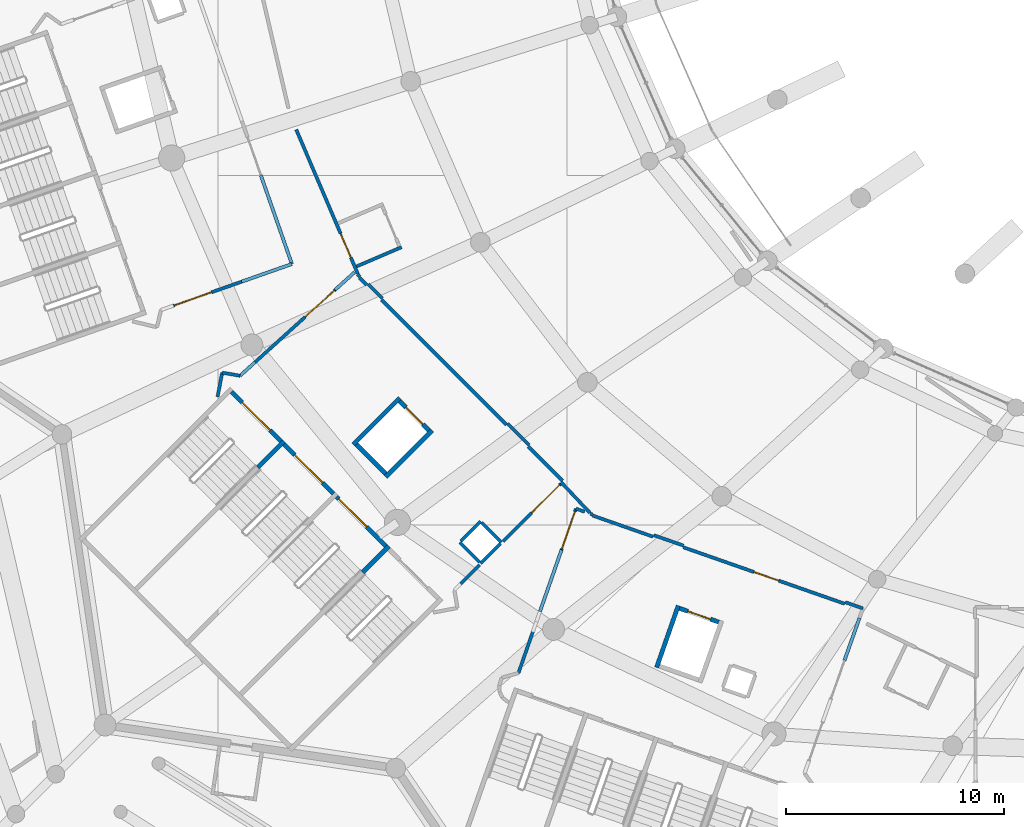
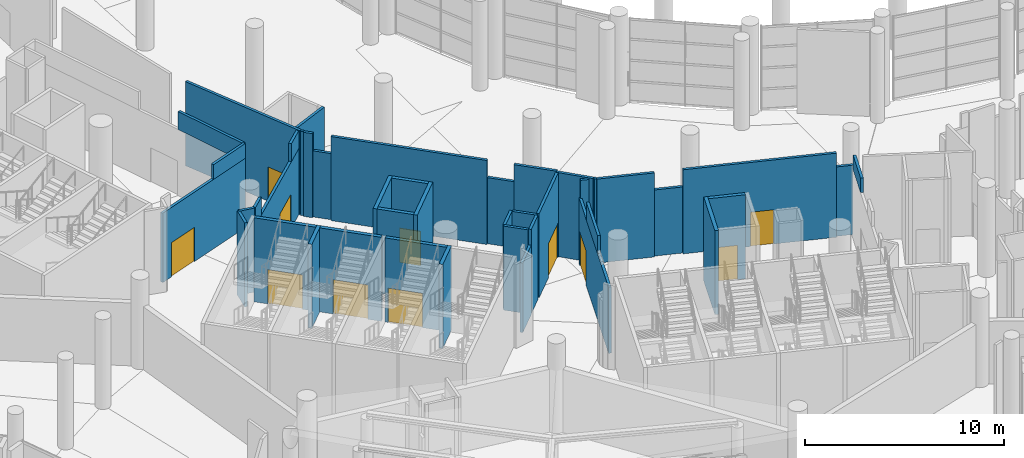
# One storey, part 160 of 271: 43 walls, 11 doors, 11 openings.
"""IFC4 building model written with IfcOpenShell, lengths in metres."""

from ifc_helpers import new_model, si_unit, direction, frame, frame_2d, origin, place, context, subcontext, project, spatial, rectangle, extrude, material, layer, layer_set, type_object, element, fill, save


model = new_model("IFC4")

# Units and contexts
model_context = context("Model", 3, precision=1e-05, world=origin(), true_north=direction((0.0, 1.0)))
body_context = subcontext(model_context, "Body", "Model", "MODEL_VIEW")
ifc_project = project(units=[si_unit("LENGTHUNIT", "METRE"), si_unit("AREAUNIT", "SQUARE_METRE"), si_unit("VOLUMEUNIT", "CUBIC_METRE"), si_unit("PLANEANGLEUNIT", "RADIAN"), si_unit("MASSUNIT", "GRAM", prefix="KILO")], contexts=[model_context])

# Site, building, storey
site_placement = place(None, origin())
site = spatial("IfcSite", under=ifc_project, at=site_placement, CompositionType="ELEMENT")
building_placement = place(site_placement, origin())
building = spatial("IfcBuilding", under=site, at=building_placement, Name="Meseta Stadium", CompositionType="ELEMENT")
storey_placement = place(building_placement, frame((0.0, 0.0, 6.5)))
storey = spatial("IfcBuildingStorey", under=building, at=storey_placement, Name="L01", CompositionType="ELEMENT", Elevation=6.5)

# Walls
ifc_material_1 = material(Name="Concrete C40/50", Category="concrete")
ifc_layer_1 = layer(ifc_material_1, 0.199951171875)
ifc_layer_set_1 = layer_set([ifc_layer_1], Name="Core divider wall 200")
wall_type_1 = type_object("IfcWallType", Name="Core divider wall 200", PredefinedType="SHEAR", material=ifc_layer_set_1)
for number, where, z_axis, x_axis, name in (
    (1, (-78.17333984375, -77.364990234375, 0.0), (0.0, 0.0, 1.0), (0.707178586901, 0.707034968179, 0.0), "Core 21 L01 stair A divider wall"),
    (2, (-73.364990234375, -82.17333984375, 0.0), (0.0, 0.0, 1.0), (0.707034968179, 0.707178586901, 0.0), "Core 21 L01 stair B divider wall"),
):
    element("IfcWall", number, at=place(storey_placement, frame(where, z_axis=z_axis, x_axis=x_axis)), inside=storey, type_object=wall_type_1, Name=name, PredefinedType="SHEAR", context=body_context, shape_type="SweptSolid", body=[
        extrude(rectangle(XDim=1.699951171875, YDim=0.199951171875, at=frame_2d((0.85009765625, 0.0))), origin(), (0.0, 0.0, 1.0), 5.14990234375),
    ])

# Wall, opening, door
ifc_material_2 = material(Name="Concrete C40/50", Category="concrete")
ifc_layer_2 = layer(ifc_material_2, 0.199951171875)
ifc_layer_set_2 = layer_set([ifc_layer_2], Name="Core shaft wall 200")
wall_type_2 = type_object("IfcWallType", Name="Core shaft wall 200", PredefinedType="SHEAR", material=ifc_layer_set_2)
wall_1_placement = place(storey_placement, frame((-79.37548828125, -73.900146484375, 0.0), z_axis=(0.0, 0.0, 1.0), x_axis=(0.707068634461, -0.707144925854, 0.0)))
wall_1 = element("IfcWall", 3, at=wall_1_placement, inside=storey, type_object=wall_type_2, Name="Core 21 L01 stair A1 inner end wall", PredefinedType="SHEAR", context=body_context, shape_type="SweptSolid", body=[
    extrude(rectangle(XDim=3.2001953125, YDim=0.199951171875, at=frame_2d((1.60009765625, 0.0))), origin(), (0.0, 0.0, 1.0), 5.14990234375),
])
opening_1_placement = place(wall_1_placement, frame((0.699951171875, 0.0, 0.0)))
opening_1 = element("IfcOpeningElement", 4, at=opening_1_placement, cuts=wall_1, Name="Opening D289", PredefinedType="OPENING", context=body_context, shape_type="SweptSolid", body=[
    extrude(rectangle(XDim=1.800048828125, YDim=2.10009765625, at=frame_2d((0.89990234375, 1.050048828125))), frame((0.0, 0.10986328125, 0.0), z_axis=(0.0, -1.0, 0.0), x_axis=(1.0, 0.0, 0.0)), (0.0, 0.0, 1.0), 0.219970703125),
])
ifc_material_3 = material(Name="Steel", Category="steel")
door_type_1 = type_object("IfcDoorType", Name="Stair door 1800x2100", OperationType="DOUBLE_DOOR_SINGLE_SWING", PredefinedType="DOOR", material=ifc_material_3)
door_1_placement = place(opening_1_placement, origin())
door_1 = element("IfcDoor", 5, at=door_1_placement, inside=storey, type_object=door_type_1, Name="Stair A1 door 21 L01", OperationType="DOUBLE_DOOR_SINGLE_SWING", OverallHeight=2.10009765625, OverallWidth=1.800048828125, PredefinedType="DOOR", context=body_context, shape_type="SweptSolid", body=[
    extrude(rectangle(XDim=1.800048828125, YDim=2.10009765625, at=frame_2d((0.89990234375, 1.050048828125))), frame((0.0, 0.02490234375, 0.0), z_axis=(0.0, -1.0, 0.0), x_axis=(1.0, 0.0, 0.0)), (0.0, 0.0, 1.0), 0.050048828125),
])
fill(opening_1, door_1)

wall_2_placement = place(storey_placement, frame((-76.97119140625, -76.304443359375, 0.0), z_axis=(0.0, 0.0, 1.0), x_axis=(0.707106781187, -0.707106781187, 0.0)))
wall_2 = element("IfcWall", 6, at=wall_2_placement, inside=storey, type_object=wall_type_2, Name="Core 21 L01 stair A2 inner end wall", PredefinedType="SHEAR", context=body_context, shape_type="SweptSolid", body=[
    extrude(rectangle(XDim=3.199951171875, YDim=0.199951171875, at=frame_2d((1.60009765625, 0.0))), origin(), (0.0, 0.0, 1.0), 5.14990234375),
])
opening_2_placement = place(wall_2_placement, frame((0.699951171875, 0.0, 0.0)))
opening_2 = element("IfcOpeningElement", 7, at=opening_2_placement, cuts=wall_2, Name="Opening D290", PredefinedType="OPENING", context=body_context, shape_type="SweptSolid", body=[
    extrude(rectangle(XDim=1.800048828125, YDim=2.10009765625, at=frame_2d((0.89990234375, 1.050048828125))), frame((0.0, 0.10986328125, 0.0), z_axis=(0.0, -1.0, 0.0), x_axis=(1.0, 0.0, 0.0)), (0.0, 0.0, 1.0), 0.219970703125),
])
door_2_placement = place(opening_2_placement, origin())
door_2 = element("IfcDoor", 8, at=door_2_placement, inside=storey, type_object=door_type_1, Name="Stair A2 door 21 L01", OperationType="DOUBLE_DOOR_SINGLE_SWING", OverallHeight=2.10009765625, OverallWidth=1.800048828125, PredefinedType="DOOR", context=body_context, shape_type="SweptSolid", body=[
    extrude(rectangle(XDim=1.800048828125, YDim=2.10009765625, at=frame_2d((0.89990234375, 1.050048828125))), frame((0.0, 0.02490234375, 0.0), z_axis=(0.0, -1.0, 0.0), x_axis=(1.0, 0.0, 0.0)), (0.0, 0.0, 1.0), 0.050048828125),
])
fill(opening_2, door_2)

wall_3_placement = place(storey_placement, frame((-74.567138671875, -78.70849609375, 0.0), z_axis=(0.0, 0.0, 1.0), x_axis=(0.707106781187, -0.707106781187, 0.0)))
wall_3 = element("IfcWall", 9, at=wall_3_placement, inside=storey, type_object=wall_type_2, Name="Core 21 L01 stair B1 inner end wall", PredefinedType="SHEAR", context=body_context, shape_type="SweptSolid", body=[
    extrude(rectangle(XDim=3.199951171875, YDim=0.199951171875, at=frame_2d((1.60009765625, 0.0))), origin(), (0.0, 0.0, 1.0), 5.14990234375),
])
opening_3_placement = place(wall_3_placement, frame((0.14990234375, 0.0, 0.0)))
opening_3 = element("IfcOpeningElement", 10, at=opening_3_placement, cuts=wall_3, Name="Opening D291", PredefinedType="OPENING", context=body_context, shape_type="SweptSolid", body=[
    extrude(rectangle(XDim=1.800048828125, YDim=2.10009765625, at=frame_2d((0.89990234375, 1.050048828125))), frame((0.0, 0.10986328125, 0.0), z_axis=(0.0, -1.0, 0.0), x_axis=(1.0, 0.0, 0.0)), (0.0, 0.0, 1.0), 0.219970703125),
])
door_3_placement = place(opening_3_placement, origin())
door_3 = element("IfcDoor", 11, at=door_3_placement, inside=storey, type_object=door_type_1, Name="Stair B1 door 21 L01", OperationType="DOUBLE_DOOR_SINGLE_SWING", OverallHeight=2.10009765625, OverallWidth=1.800048828125, PredefinedType="DOOR", context=body_context, shape_type="SweptSolid", body=[
    extrude(rectangle(XDim=1.800048828125, YDim=2.10009765625, at=frame_2d((0.89990234375, 1.050048828125))), frame((0.0, 0.02490234375, 0.0), z_axis=(0.0, -1.0, 0.0), x_axis=(1.0, 0.0, 0.0)), (0.0, 0.0, 1.0), 0.050048828125),
])
fill(opening_3, door_3)

# Walls
for number, where, z_axis, x_axis, name in (
    (12, (-73.796875, -76.311767578125, 0.0), (0.0, 0.0, 1.0), (0.707106781187, 0.707106781187, 0.0), "Core 21 L01 lift shaft wall left"),
    (13, (-72.311767578125, -77.796875, 0.0), (0.0, 0.0, 1.0), (0.707106781187, 0.707106781187, 0.0), "Core 21 L01 lift shaft wall right"),
):
    element("IfcWall", number, at=place(storey_placement, frame(where, z_axis=z_axis, x_axis=x_axis)), inside=storey, type_object=wall_type_2, Name=name, PredefinedType="SHEAR", context=body_context, shape_type="SweptSolid", body=[
        extrude(rectangle(XDim=3.0, YDim=0.199951171875, at=frame_2d((1.5, 0.0))), origin(), (0.0, 0.0, 1.0), 5.14990234375),
    ])
wall_4_placement = place(storey_placement, frame((-73.655517578125, -76.311767578125, 0.0), z_axis=(0.0, 0.0, 1.0), x_axis=(0.707106781187, -0.707106781187, 0.0)))
element("IfcWall", 14, at=wall_4_placement, inside=storey, type_object=wall_type_2, Name="Core 21 L01 lift shaft back wall", PredefinedType="SHEAR", context=body_context, shape_type="SweptSolid", body=[
    extrude(rectangle(XDim=1.900390625, YDim=0.199951171875, at=frame_2d((0.9501953125, 0.0))), origin(), (0.0, 0.0, 1.0), 5.14990234375),
])

# Wall, opening, door
wall_5_placement = place(storey_placement, frame((-71.675537109375, -74.331787109375, 0.0), z_axis=(0.0, 0.0, 1.0), x_axis=(0.707106781187, -0.707106781187, 0.0)))
wall_5 = element("IfcWall", 15, at=wall_5_placement, inside=storey, type_object=wall_type_2, Name="Core 21 L01 lift shaft front wall", PredefinedType="SHEAR", context=body_context, shape_type="SweptSolid", body=[
    extrude(rectangle(XDim=1.900390625, YDim=0.199951171875, at=frame_2d((0.9501953125, 0.0))), origin(), (0.0, 0.0, 1.0), 5.14990234375),
])
opening_4_placement = place(wall_5_placement, frame((0.39990234375, 0.0, 0.0)))
opening_4 = element("IfcOpeningElement", 16, at=opening_4_placement, cuts=wall_5, Name="Opening LD117", PredefinedType="OPENING", context=body_context, shape_type="SweptSolid", body=[
    extrude(rectangle(XDim=1.10009765625, YDim=2.10009765625, at=frame_2d((0.550048828125, 1.050048828125))), frame((0.0, 0.10986328125, 0.0), z_axis=(0.0, -1.0, 0.0), x_axis=(1.0, 0.0, 0.0)), (0.0, 0.0, 1.0), 0.219970703125),
])
ifc_material_4 = material(Name="Steel", Category="steel")
door_type_2 = type_object("IfcDoorType", Name="Lift landing door 1100x2100", OperationType="SLIDING_TO_LEFT", PredefinedType="DOOR", material=ifc_material_4)
door_4_placement = place(opening_4_placement, origin())
door_4 = element("IfcDoor", 17, at=door_4_placement, inside=storey, type_object=door_type_2, Name="Lift landing door LD117", OperationType="SLIDING_TO_LEFT", OverallHeight=2.10009765625, OverallWidth=1.10009765625, PredefinedType="DOOR", context=body_context, shape_type="SweptSolid", body=[
    extrude(rectangle(XDim=1.10009765625, YDim=2.10009765625, at=frame_2d((0.550048828125, 1.050048828125))), frame((0.0, 0.02490234375, 0.0), z_axis=(0.0, -1.0, 0.0), x_axis=(1.0, 0.0, 0.0)), (0.0, 0.0, 1.0), 0.050048828125),
])
fill(opening_4, door_4)

# Wall
wall_6_placement = place(storey_placement, frame((-59.896240234375, -86.53369140625, 0.0), z_axis=(0.0, 0.0, 1.0), x_axis=(0.330328674497, 0.943865968666, 0.0)))
element("IfcWall", 18, at=wall_6_placement, inside=storey, type_object=wall_type_2, Name="Core 22 L01 lift shaft wall left", PredefinedType="SHEAR", context=body_context, shape_type="SweptSolid", body=[
    extrude(rectangle(XDim=3.0, YDim=0.199951171875, at=frame_2d((1.5, 0.0))), origin(), (0.0, 0.0, 1.0), 5.14990234375),
])

# Wall, opening, door
wall_7_placement = place(storey_placement, frame((-58.843994140625, -83.82958984375, 0.0), z_axis=(0.0, 0.0, 1.0), x_axis=(0.943902418729, -0.330224505327, 0.0)))
wall_7 = element("IfcWall", 19, at=wall_7_placement, inside=storey, type_object=wall_type_2, Name="Core 22 L01 lift shaft front wall", PredefinedType="SHEAR", context=body_context, shape_type="SweptSolid", body=[
    extrude(rectangle(XDim=1.900146484375, YDim=0.199951171875, at=frame_2d((0.9501953125, 0.0))), origin(), (0.0, 0.0, 1.0), 5.14990234375),
])
opening_5_placement = place(wall_7_placement, frame((0.39990234375, 0.0, 0.0)))
opening_5 = element("IfcOpeningElement", 20, at=opening_5_placement, cuts=wall_7, Name="Opening LD122", PredefinedType="OPENING", context=body_context, shape_type="SweptSolid", body=[
    extrude(rectangle(XDim=1.10009765625, YDim=2.10009765625, at=frame_2d((0.550048828125, 1.050048828125))), frame((0.0, 0.10986328125, 0.0), z_axis=(0.0, -1.0, 0.0), x_axis=(1.0, 0.0, 0.0)), (0.0, 0.0, 1.0), 0.219970703125),
])
door_5_placement = place(opening_5_placement, origin())
door_5 = element("IfcDoor", 21, at=door_5_placement, inside=storey, type_object=door_type_2, Name="Lift landing door LD122", OperationType="SLIDING_TO_RIGHT", OverallHeight=2.10009765625, OverallWidth=1.10009765625, PredefinedType="DOOR", context=body_context, shape_type="SweptSolid", body=[
    extrude(rectangle(XDim=1.10009765625, YDim=2.10009765625, at=frame_2d((0.550048828125, 1.050048828125))), frame((0.0, 0.02490234375, 0.0), z_axis=(0.0, -1.0, 0.0), x_axis=(1.0, 0.0, 0.0)), (0.0, 0.0, 1.0), 0.050048828125),
])
fill(opening_5, door_5)

# Walls
ifc_material_5 = material(Name="Masonry blockwork", Category="masonry")
ifc_layer_3 = layer(ifc_material_5, 0.14990234375)
ifc_layer_set_3 = layer_set([ifc_layer_3], Name="Partition 150")
wall_type_3 = type_object("IfcWallType", Name="Partition 150", PredefinedType="PARTITIONING", material=ifc_layer_set_3)
wall_8_placement = place(storey_placement, frame((-66.77880859375, -75.410400390625, 0.0), z_axis=(0.0, 0.0, 1.0), x_axis=(-0.707091708943, 0.707121853109, 0.0)))
element("IfcWall", 22, at=wall_8_placement, inside=storey, type_object=wall_type_3, Name="Partition L01 L01-cell19-0-0", PredefinedType="PARTITIONING", context=body_context, shape_type="SweptSolid", body=[
    extrude(rectangle(XDim=8.09912109375, YDim=0.14990234375, at=frame_2d((4.049560546875, 0.0))), origin(), (0.0, 0.0, 1.0), 5.14990234375),
])
wall_9_placement = place(storey_placement, frame((-73.179443359375, -69.009521484375, 0.0), z_axis=(0.0, 0.0, 1.0), x_axis=(-0.707106781187, 0.707106781187, 0.0)))
element("IfcWall", 23, at=wall_9_placement, inside=storey, type_object=wall_type_3, Name="Partition L01 L01-cell19-0-0", PredefinedType="PARTITIONING", context=body_context, shape_type="SweptSolid", body=[
    extrude(rectangle(XDim=0.4765625, YDim=0.14990234375, at=frame_2d((0.23828125, 0.0))), origin(), (0.0, 0.0, 1.0), 5.14990234375),
])

# Wall, opening, door
wall_10_placement = place(storey_placement, frame((-73.595458984375, -68.487548828125, 0.0), z_axis=(0.0, 0.0, 1.0), x_axis=(-0.392716080943, 0.919659763047, 0.0)))
wall_10 = element("IfcWall", 24, at=wall_10_placement, inside=storey, type_object=wall_type_3, Name="Partition L01 L01-cell19-0-0", PredefinedType="PARTITIONING", context=body_context, shape_type="SweptSolid", body=[
    extrude(rectangle(XDim=7.17724609375, YDim=0.14990234375, at=frame_2d((3.588623046875, 0.0))), origin(), (0.0, 0.0, 1.0), 5.14990234375),
])
opening_6_placement = place(wall_10_placement, frame((0.800048828125, 0.0, 0.0)))
opening_6 = element("IfcOpeningElement", 25, at=opening_6_placement, cuts=wall_10, Name="Opening D667", PredefinedType="OPENING", context=body_context, shape_type="SweptSolid", body=[
    extrude(rectangle(XDim=1.199951171875, YDim=2.10009765625, at=frame_2d((0.60009765625, 1.050048828125))), frame((0.0, 0.0849609375, 0.0), z_axis=(0.0, -1.0, 0.0), x_axis=(1.0, 0.0, 0.0)), (0.0, 0.0, 1.0), 0.169921875),
])
ifc_material_6 = material(Name="Steel", Category="steel")
door_type_3 = type_object("IfcDoorType", Name="Fire door 1200x2100 EI2 60", OperationType="NOTDEFINED", PredefinedType="DOOR", material=ifc_material_6)
door_6_placement = place(opening_6_placement, origin())
door_6 = element("IfcDoor", 26, at=door_6_placement, inside=storey, type_object=door_type_3, Name="Door D667", OperationType="SINGLE_SWING_LEFT", OverallHeight=2.10009765625, OverallWidth=1.199951171875, PredefinedType="DOOR", context=body_context, shape_type="SweptSolid", body=[
    extrude(rectangle(XDim=1.199951171875, YDim=2.10009765625, at=frame_2d((0.60009765625, 1.050048828125))), frame((0.0, 0.02490234375, 0.0), z_axis=(0.0, -1.0, 0.0), x_axis=(1.0, 0.0, 0.0)), (0.0, 0.0, 1.0), 0.050048828125),
])
fill(opening_6, door_6)

wall_11_placement = place(storey_placement, frame((-51.2841796875, -83.614501953125, 0.0), z_axis=(0.0, 0.0, 1.0), x_axis=(-0.943878277554, 0.330293501543, 0.0)))
wall_11 = element("IfcWall", 27, at=wall_11_placement, inside=storey, type_object=wall_type_3, Name="Partition L01 L01-cell20-0-0", PredefinedType="PARTITIONING", context=body_context, shape_type="SweptSolid", body=[
    extrude(rectangle(XDim=7.8330078125, YDim=0.14990234375, at=frame_2d((3.91650390625, 0.0))), origin(), (0.0, 0.0, 1.0), 5.14990234375),
])
opening_7_placement = place(wall_11_placement, frame((3.199951171875, 0.0, 0.0)))
opening_7 = element("IfcOpeningElement", 28, at=opening_7_placement, cuts=wall_11, Name="Opening D668", PredefinedType="OPENING", context=body_context, shape_type="SweptSolid", body=[
    extrude(rectangle(XDim=1.199951171875, YDim=2.10009765625, at=frame_2d((0.60009765625, 1.050048828125))), frame((0.0, 0.0849609375, 0.0), z_axis=(0.0, -1.0, 0.0), x_axis=(1.0, 0.0, 0.0)), (0.0, 0.0, 1.0), 0.169921875),
])
door_7_placement = place(opening_7_placement, origin())
door_7 = element("IfcDoor", 29, at=door_7_placement, inside=storey, type_object=door_type_3, Name="Door D668", OperationType="SINGLE_SWING_LEFT", OverallHeight=2.10009765625, OverallWidth=1.199951171875, PredefinedType="DOOR", context=body_context, shape_type="SweptSolid", body=[
    extrude(rectangle(XDim=1.199951171875, YDim=2.10009765625, at=frame_2d((0.60009765625, 1.050048828125))), frame((0.0, 0.02490234375, 0.0), z_axis=(0.0, -1.0, 0.0), x_axis=(1.0, 0.0, 0.0)), (0.0, 0.0, 1.0), 0.050048828125),
])
fill(opening_7, door_7)

# Walls
wall_12_placement = place(storey_placement, frame((-60.06396484375, -80.542236328125, 0.0), z_axis=(0.0, 0.0, 1.0), x_axis=(-0.943873905003, 0.330305996696, 0.0)))
element("IfcWall", 30, at=wall_12_placement, inside=storey, type_object=wall_type_3, Name="Partition L01 L01-cell20-0-0", PredefinedType="PARTITIONING", context=body_context, shape_type="SweptSolid", body=[
    extrude(rectangle(XDim=2.937255859375, YDim=0.14990234375, at=frame_2d((1.46875, 0.0))), origin(), (0.0, 0.0, 1.0), 5.14990234375),
])
wall_13_placement = place(storey_placement, frame((-62.948486328125, -79.453369140625, 0.0), z_axis=(0.0, 0.0, 1.0), x_axis=(-0.686461196607, 0.727166435937, 0.0)))
element("IfcWall", 31, at=wall_13_placement, inside=storey, type_object=wall_type_3, Name="Partition L01 L01-cell20-0-0", PredefinedType="PARTITIONING", context=body_context, shape_type="SweptSolid", body=[
    extrude(rectangle(XDim=1.943359375, YDim=0.14990234375, at=frame_2d((0.9716796875, 0.0))), origin(), (0.0, 0.0, 1.0), 5.14990234375),
])
wall_14_placement = place(storey_placement, frame((-64.215576171875, -77.973388671875, 0.0), z_axis=(0.0, 0.0, 1.0), x_axis=(-0.707161957089, 0.707051600978, 0.0)))
element("IfcWall", 32, at=wall_14_placement, inside=storey, type_object=wall_type_3, Name="Partition L01 L01-cell20-0-0", PredefinedType="PARTITIONING", context=body_context, shape_type="SweptSolid", body=[
    extrude(rectangle(XDim=2.21240234375, YDim=0.14990234375, at=frame_2d((1.106201171875, 0.0))), origin(), (0.0, 0.0, 1.0), 5.14990234375),
])

# Wall, opening, door
wall_15_placement = place(storey_placement, frame((-82.605224609375, -70.154052734375, 0.0), z_axis=(0.0, 0.0, 1.0), x_axis=(0.943452018302, 0.331509108716, 0.0)))
wall_15 = element("IfcWall", 33, at=wall_15_placement, inside=storey, type_object=wall_type_3, Name="Stair vestibule wall L01 core 20", PredefinedType="PARTITIONING", context=body_context, shape_type="SweptSolid", body=[
    extrude(rectangle(XDim=6.3525390625, YDim=0.14990234375, at=frame_2d((3.17626953125, 0.0))), origin(), (0.0, 0.0, 1.0), 4.25),
])
opening_8_placement = place(wall_15_placement, frame((0.64990234375, 0.0, 0.0)))
opening_8 = element("IfcOpeningElement", 34, at=opening_8_placement, cuts=wall_15, Name="Opening D796", PredefinedType="OPENING", context=body_context, shape_type="SweptSolid", body=[
    extrude(rectangle(XDim=1.800048828125, YDim=2.10009765625, at=frame_2d((0.89990234375, 1.050048828125))), frame((0.0, 0.0849609375, 0.0), z_axis=(0.0, -1.0, 0.0), x_axis=(1.0, 0.0, 0.0)), (0.0, 0.0, 1.0), 0.169921875),
])
ifc_material_7 = material(Name="Steel", Category="steel")
door_type_4 = type_object("IfcDoorType", Name="Fire double door 1800x2100 EI2 60", OperationType="DOUBLE_DOOR_SINGLE_SWING", PredefinedType="DOOR", material=ifc_material_7)
door_8_placement = place(opening_8_placement, origin())
door_8 = element("IfcDoor", 35, at=door_8_placement, inside=storey, type_object=door_type_4, Name="Stair vestibule door L01 core 20", OperationType="DOUBLE_DOOR_SINGLE_SWING", OverallHeight=2.10009765625, OverallWidth=1.800048828125, PredefinedType="DOOR", context=body_context, shape_type="SweptSolid", body=[
    extrude(rectangle(XDim=1.800048828125, YDim=2.10009765625, at=frame_2d((0.89990234375, 1.050048828125))), frame((0.0, 0.02490234375, 0.0), z_axis=(0.0, -1.0, 0.0), x_axis=(1.0, 0.0, 0.0)), (0.0, 0.0, 1.0), 0.050048828125),
])
fill(opening_8, door_8)

# Walls
wall_16_placement = place(storey_placement, frame((-78.9169921875, -68.858154296875, 4.25), z_axis=(0.0, 0.0, 1.0), x_axis=(0.943443246904, 0.331534070454, 0.0)))
element("IfcWall", 36, at=wall_16_placement, inside=storey, type_object=wall_type_3, Name="Stair vestibule wall L01 core 20", PredefinedType="PARTITIONING", context=body_context, shape_type="SweptSolid", body=[
    extrude(rectangle(XDim=2.443359375, YDim=0.14990234375, at=frame_2d((1.2216796875, 0.0))), origin(), (0.0, 0.0, 1.0), 0.89990234375),
])
wall_17_placement = place(storey_placement, frame((-76.61181640625, -68.048095703125, 4.050048828125), z_axis=(0.0, 0.0, 1.0), x_axis=(-0.330279608941, 0.94388313891, 0.0)))
element("IfcWall", 37, at=wall_17_placement, inside=storey, type_object=wall_type_3, Name="Stair vestibule wall L01 core 20", PredefinedType="PARTITIONING", context=body_context, shape_type="SweptSolid", body=[
    extrude(rectangle(XDim=4.2998046875, YDim=0.14990234375, at=frame_2d((2.14990234375, 0.0))), origin(), (0.0, 0.0, 1.0), 1.099853515625),
])
for number, where, z_axis, x_axis, name in (
    (38, (-68.917724609375, -80.802001953125, 0.0), (0.0, 0.0, 1.0), (0.707106781187, -0.707106781187, 0.0), "Pressurisation shaft wall L01 core 21"),
    (39, (-67.963134765625, -81.756591796875, 0.0), (0.0, 0.0, 1.0), (0.707106781187, 0.707106781187, 0.0), "Pressurisation shaft wall L01 core 21"),
    (40, (-67.008544921875, -80.802001953125, 0.0), (0.0, 0.0, 1.0), (-0.707106781187, 0.707106781187, 0.0), "Pressurisation shaft wall L01 core 21"),
):
    element("IfcWall", number, at=place(storey_placement, frame(where, z_axis=z_axis, x_axis=x_axis)), inside=storey, type_object=wall_type_3, Name=name, PredefinedType="PARTITIONING", context=body_context, shape_type="SweptSolid", body=[
        extrude(rectangle(XDim=1.275146484375, YDim=0.14990234375, at=frame_2d((0.6376953125, 0.0))), origin(), (0.0, 0.0, 1.0), 5.14990234375),
    ])
wall_18_placement = place(storey_placement, frame((-67.963134765625, -79.847412109375, 0.0), z_axis=(0.0, 0.0, 1.0), x_axis=(-0.707202523759, -0.707011025648, 0.0)))
element("IfcWall", 41, at=wall_18_placement, inside=storey, type_object=wall_type_3, Name="Pressurisation shaft wall L01 core 21", PredefinedType="PARTITIONING", context=body_context, shape_type="SweptSolid", body=[
    extrude(rectangle(XDim=1.27490234375, YDim=0.14990234375, at=frame_2d((0.637451171875, 0.0))), origin(), (0.0, 0.0, 1.0), 5.14990234375),
])
wall_19_placement = place(storey_placement, frame((-69.16796875, -82.98974609375, 0.0), z_axis=(0.0, 0.0, 1.0), x_axis=(0.707106781187, 0.707106781187, 0.0)))
element("IfcWall", 42, at=wall_19_placement, inside=storey, type_object=wall_type_3, Name="Stair vestibule wall L01 core 21", PredefinedType="PARTITIONING", context=body_context, shape_type="SweptSolid", body=[
    extrude(rectangle(XDim=1.64306640625, YDim=0.14990234375, at=frame_2d((0.821533203125, 0.0))), origin(), (0.0, 0.0, 1.0), 4.25),
])

# Wall, opening, door
wall_20_placement = place(storey_placement, frame((-66.934326171875, -80.756103515625, 0.0), z_axis=(0.0, 0.0, 1.0), x_axis=(0.707073957383, 0.707139603466, 0.0)))
wall_20 = element("IfcWall", 43, at=wall_20_placement, inside=storey, type_object=wall_type_3, Name="Stair vestibule wall L01 core 21", PredefinedType="PARTITIONING", context=body_context, shape_type="SweptSolid", body=[
    extrude(rectangle(XDim=3.718994140625, YDim=0.14990234375, at=frame_2d((1.859375, 0.0))), origin(), (0.0, 0.0, 1.0), 5.14990234375),
])
opening_9_placement = place(wall_20_placement, frame((1.85009765625, 0.0, 0.0)))
opening_9 = element("IfcOpeningElement", 44, at=opening_9_placement, cuts=wall_20, Name="Opening D798", PredefinedType="OPENING", context=body_context, shape_type="SweptSolid", body=[
    extrude(rectangle(XDim=1.800048828125, YDim=2.10009765625, at=frame_2d((0.89990234375, 1.050048828125))), frame((0.0, 0.0849609375, 0.0), z_axis=(0.0, -1.0, 0.0), x_axis=(1.0, 0.0, 0.0)), (0.0, 0.0, 1.0), 0.169921875),
])
door_9_placement = place(opening_9_placement, origin())
door_9 = element("IfcDoor", 45, at=door_9_placement, inside=storey, type_object=door_type_4, Name="Stair vestibule door L01 core 21", OperationType="DOUBLE_DOOR_SINGLE_SWING", OverallHeight=2.10009765625, OverallWidth=1.800048828125, PredefinedType="DOOR", context=body_context, shape_type="SweptSolid", body=[
    extrude(rectangle(XDim=1.800048828125, YDim=2.10009765625, at=frame_2d((0.89990234375, 1.050048828125))), frame((0.0, 0.02490234375, 0.0), z_axis=(0.0, -1.0, 0.0), x_axis=(1.0, 0.0, 0.0)), (0.0, 0.0, 1.0), 0.050048828125),
])
fill(opening_9, door_9)

# Walls
wall_21_placement = place(storey_placement, frame((-65.73388671875, -76.34912109375, 0.0), z_axis=(0.0, 0.0, 1.0), x_axis=(-0.707106781187, 0.707106781187, 0.0)))
element("IfcWall", 46, at=wall_21_placement, inside=storey, type_object=wall_type_3, Name="Stair vestibule wall L01 core 21", PredefinedType="PARTITIONING", context=body_context, shape_type="SweptSolid", body=[
    extrude(rectangle(XDim=1.392578125, YDim=0.14990234375, at=frame_2d((0.6962890625, 0.0))), origin(), (0.0, 0.0, 1.0), 4.050048828125),
])
wall_22_placement = place(storey_placement, frame((-72.459716796875, -69.623291015625, 0.0), z_axis=(0.0, 0.0, 1.0), x_axis=(-0.707106781187, 0.707106781187, 0.0)))
element("IfcWall", 47, at=wall_22_placement, inside=storey, type_object=wall_type_3, Name="Stair vestibule wall L01 core 21", PredefinedType="PARTITIONING", context=body_context, shape_type="SweptSolid", body=[
    extrude(rectangle(XDim=0.932861328125, YDim=0.14990234375, at=frame_2d((0.46630859375, 0.0))), origin(), (0.0, 0.0, 1.0), 4.050048828125),
])
wall_23_placement = place(storey_placement, frame((-73.49169921875, -68.6337890625, 0.0), z_axis=(0.0, 0.0, 1.0), x_axis=(-0.706331870343, 0.707880843743, 0.0)))
element("IfcWall", 48, at=wall_23_placement, inside=storey, type_object=wall_type_3, Name="Stair vestibule wall L01 core 21", PredefinedType="PARTITIONING", context=body_context, shape_type="SweptSolid", body=[
    extrude(rectangle(XDim=0.15771484375, YDim=0.14990234375, at=frame_2d((0.078857421875, 0.0))), origin(), (0.0, 0.0, 1.0), 5.14990234375),
])

# Wall, opening, door
wall_24_placement = place(storey_placement, frame((-73.742431640625, -68.427001953125, 0.0), z_axis=(0.0, 0.0, 1.0), x_axis=(-0.741827757785, -0.670590469496, 0.0)))
wall_24 = element("IfcWall", 49, at=wall_24_placement, inside=storey, type_object=wall_type_3, Name="Stair vestibule wall L01 core 21", PredefinedType="PARTITIONING", context=body_context, shape_type="SweptSolid", body=[
    extrude(rectangle(XDim=7.0703125, YDim=0.14990234375, at=frame_2d((3.53515625, 0.0))), origin(), (0.0, 0.0, 1.0), 4.050048828125),
])
opening_10_placement = place(wall_24_placement, frame((1.25, 0.0, 0.0)))
opening_10 = element("IfcOpeningElement", 50, at=opening_10_placement, cuts=wall_24, Name="Opening D797", PredefinedType="OPENING", context=body_context, shape_type="SweptSolid", body=[
    extrude(rectangle(XDim=1.800048828125, YDim=2.10009765625, at=frame_2d((0.89990234375, 1.050048828125))), frame((0.0, 0.0849609375, 0.0), z_axis=(0.0, -1.0, 0.0), x_axis=(1.0, 0.0, 0.0)), (0.0, 0.0, 1.0), 0.169921875),
])
door_10_placement = place(opening_10_placement, origin())
door_10 = element("IfcDoor", 51, at=door_10_placement, inside=storey, type_object=door_type_4, Name="Stair vestibule door L01 core 21", OperationType="DOUBLE_DOOR_SINGLE_SWING", OverallHeight=2.10009765625, OverallWidth=1.800048828125, PredefinedType="DOOR", context=body_context, shape_type="SweptSolid", body=[
    extrude(rectangle(XDim=1.800048828125, YDim=2.10009765625, at=frame_2d((0.89990234375, 1.050048828125))), frame((0.0, 0.02490234375, 0.0), z_axis=(0.0, -1.0, 0.0), x_axis=(1.0, 0.0, 0.0)), (0.0, 0.0, 1.0), 0.050048828125),
])
fill(opening_10, door_10)

# Walls
wall_25_placement = place(storey_placement, frame((-73.742431640625, -68.427001953125, 4.050048828125), z_axis=(0.0, 0.0, 1.0), x_axis=(-0.741906759341, -0.670503065201, 0.0)))
element("IfcWall", 52, at=wall_25_placement, inside=storey, type_object=wall_type_3, Name="Stair vestibule wall L01 core 21", PredefinedType="PARTITIONING", context=body_context, shape_type="SweptSolid", body=[
    extrude(rectangle(XDim=1.2001953125, YDim=0.14990234375, at=frame_2d((0.60009765625, 0.0))), origin(), (0.0, 0.0, 1.0), 1.099853515625),
])
wall_26_placement = place(storey_placement, frame((-78.287841796875, -72.5361328125, 4.050048828125), z_axis=(0.0, 0.0, 1.0), x_axis=(-0.741940562606, -0.670465660239, 0.0)))
element("IfcWall", 53, at=wall_26_placement, inside=storey, type_object=wall_type_3, Name="Stair vestibule wall L01 core 21", PredefinedType="PARTITIONING", context=body_context, shape_type="SweptSolid", body=[
    extrude(rectangle(XDim=0.942626953125, YDim=0.14990234375, at=frame_2d((0.47119140625, 0.0))), origin(), (0.0, 0.0, 1.0), 1.099853515625),
])
wall_27_placement = place(storey_placement, frame((-78.9873046875, -73.168212890625, 0.0), z_axis=(0.0, 0.0, 1.0), x_axis=(-0.985252654039, 0.171105837743, 0.0)))
element("IfcWall", 54, at=wall_27_placement, inside=storey, type_object=wall_type_3, Name="Stair vestibule wall L01 core 21", PredefinedType="PARTITIONING", context=body_context, shape_type="SweptSolid", body=[
    extrude(rectangle(XDim=0.831787109375, YDim=0.14990234375, at=frame_2d((0.416015625, 0.0))), origin(), (0.0, 0.0, 1.0), 5.14990234375),
])
wall_28_placement = place(storey_placement, frame((-79.806884765625, -73.02587890625, 0.0), z_axis=(0.0, 0.0, 1.0), x_axis=(-0.187490142289, -0.982266484486, 0.0)))
element("IfcWall", 55, at=wall_28_placement, inside=storey, type_object=wall_type_3, Name="Stair vestibule wall L01 core 21", PredefinedType="PARTITIONING", context=body_context, shape_type="SweptSolid", body=[
    extrude(rectangle(XDim=1.127685546875, YDim=0.14990234375, at=frame_2d((0.56396484375, 0.0))), origin(), (0.0, 0.0, 1.0), 5.14990234375),
])
wall_29_placement = place(storey_placement, frame((-50.447021484375, -83.827880859375, 0.0), z_axis=(0.0, 0.0, 1.0), x_axis=(-0.943871777737, 0.330312075456, 0.0)))
element("IfcWall", 56, at=wall_29_placement, inside=storey, type_object=wall_type_3, Name="Stair vestibule wall L01 core 22", PredefinedType="PARTITIONING", context=body_context, shape_type="SweptSolid", body=[
    extrude(rectangle(XDim=0.850830078125, YDim=0.14990234375, at=frame_2d((0.42529296875, 0.0))), origin(), (0.0, 0.0, 1.0), 4.25),
])
wall_30_placement = place(storey_placement, frame((-58.662353515625, -80.953125, 0.0), z_axis=(0.0, 0.0, 1.0), x_axis=(-0.943876745654, 0.330297879215, 0.0)))
element("IfcWall", 57, at=wall_30_placement, inside=storey, type_object=wall_type_3, Name="Stair vestibule wall L01 core 22", PredefinedType="PARTITIONING", context=body_context, shape_type="SweptSolid", body=[
    extrude(rectangle(XDim=1.44873046875, YDim=0.14990234375, at=frame_2d((0.724365234375, 0.0))), origin(), (0.0, 0.0, 1.0), 4.050048828125),
])
wall_31_placement = place(storey_placement, frame((-62.8310546875, -79.526123046875, 0.0), z_axis=(0.0, 0.0, 1.0), x_axis=(-0.944168192904, 0.329463842489, 0.0)))
element("IfcWall", 58, at=wall_31_placement, inside=storey, type_object=wall_type_3, Name="Stair vestibule wall L01 core 22", PredefinedType="PARTITIONING", context=body_context, shape_type="SweptSolid", body=[
    extrude(rectangle(XDim=0.1103515625, YDim=0.14990234375, at=frame_2d((0.05517578125, 0.0))), origin(), (0.0, 0.0, 1.0), 5.14990234375),
])
wall_32_placement = place(storey_placement, frame((-63.1953125, -79.398681640625, 0.0), z_axis=(0.0, 0.0, 1.0), x_axis=(-0.9439211129, 0.330171065694, 0.0)))
element("IfcWall", 59, at=wall_32_placement, inside=storey, type_object=wall_type_3, Name="Stair vestibule wall L01 core 22", PredefinedType="PARTITIONING", context=body_context, shape_type="SweptSolid", body=[
    extrude(rectangle(XDim=0.42431640625, YDim=0.14990234375, at=frame_2d((0.212158203125, 0.0))), origin(), (0.0, 0.0, 1.0), 5.14990234375),
])

# Wall, opening, door
wall_33_placement = place(storey_placement, frame((-63.595947265625, -79.258544921875, 0.0), z_axis=(0.0, 0.0, 1.0), x_axis=(-0.330252316135, -0.94389268865, 0.0)))
wall_33 = element("IfcWall", 60, at=wall_33_placement, inside=storey, type_object=wall_type_3, Name="Stair vestibule wall L01 core 22", PredefinedType="PARTITIONING", context=body_context, shape_type="SweptSolid", body=[
    extrude(rectangle(XDim=7.98095703125, YDim=0.14990234375, at=frame_2d((3.990478515625, 0.0))), origin(), (0.0, 0.0, 1.0), 4.050048828125),
])
opening_11_placement = place(wall_33_placement, frame((0.14990234375, 0.0, 0.0)))
opening_11 = element("IfcOpeningElement", 61, at=opening_11_placement, cuts=wall_33, Name="Opening D800", PredefinedType="OPENING", context=body_context, shape_type="SweptSolid", body=[
    extrude(rectangle(XDim=1.800048828125, YDim=2.10009765625, at=frame_2d((0.89990234375, 1.050048828125))), frame((0.0, 0.0849609375, 0.0), z_axis=(0.0, -1.0, 0.0), x_axis=(1.0, 0.0, 0.0)), (0.0, 0.0, 1.0), 0.169921875),
])
door_11_placement = place(opening_11_placement, origin())
door_11 = element("IfcDoor", 62, at=door_11_placement, inside=storey, type_object=door_type_4, Name="Stair vestibule door L01 core 22", OperationType="DOUBLE_DOOR_SINGLE_SWING", OverallHeight=2.10009765625, OverallWidth=1.800048828125, PredefinedType="DOOR", context=body_context, shape_type="SweptSolid", body=[
    extrude(rectangle(XDim=1.800048828125, YDim=2.10009765625, at=frame_2d((0.89990234375, 1.050048828125))), frame((0.0, 0.02490234375, 0.0), z_axis=(0.0, -1.0, 0.0), x_axis=(1.0, 0.0, 0.0)), (0.0, 0.0, 1.0), 0.050048828125),
])
fill(opening_11, door_11)

# Walls
wall_34_placement = place(storey_placement, frame((-64.256591796875, -81.146484375, 4.050048828125), z_axis=(0.0, 0.0, 1.0), x_axis=(-0.330263074179, -0.943888924521, 0.0)))
element("IfcWall", 63, at=wall_34_placement, inside=storey, type_object=wall_type_3, Name="Stair vestibule wall L01 core 22", PredefinedType="PARTITIONING", context=body_context, shape_type="SweptSolid", body=[
    extrude(rectangle(XDim=2.988037109375, YDim=0.14990234375, at=frame_2d((1.494140625, 0.0))), origin(), (0.0, 0.0, 1.0), 1.099853515625),
])
wall_35_placement = place(storey_placement, frame((-73.654052734375, -68.1591796875, 0.0), z_axis=(0.0, 0.0, 1.0), x_axis=(0.919638165537, 0.392766653993, 0.0)))
element("IfcWall", 64, at=wall_35_placement, inside=storey, type_object=wall_type_3, Name="Partition L01 L01-cell19-0-0 vestibule", PredefinedType="PARTITIONING", context=body_context, shape_type="SweptSolid", body=[
    extrude(rectangle(XDim=2.250244140625, YDim=0.14990234375, at=frame_2d((1.125, 0.0))), origin(), (0.0, 0.0, 1.0), 5.14990234375),
])
wall_36_placement = place(storey_placement, frame((-51.28515625, -86.195068359375, 4.25), z_axis=(0.0, 0.0, 1.0), x_axis=(0.333802831012, 0.942642917551, 0.0)))
element("IfcWall", 65, at=wall_36_placement, inside=storey, type_object=wall_type_3, Name="Stair vestibule wall L01 core 22", PredefinedType="PARTITIONING", context=body_context, shape_type="SweptSolid", body=[
    extrude(rectangle(XDim=2.039794921875, YDim=0.14990234375, at=frame_2d((1.02001953125, 0.0))), origin(), (0.0, 0.0, 1.0), 0.89990234375),
])

save(model, "model.ifc")
